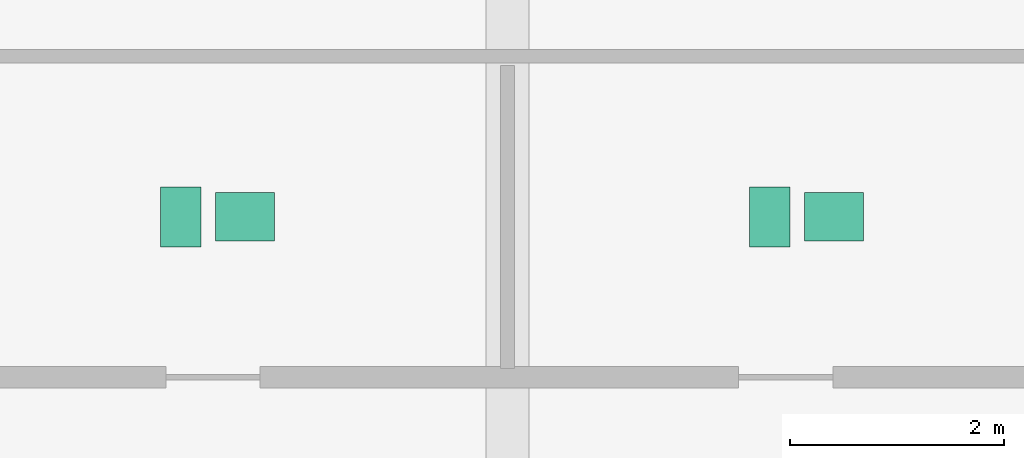
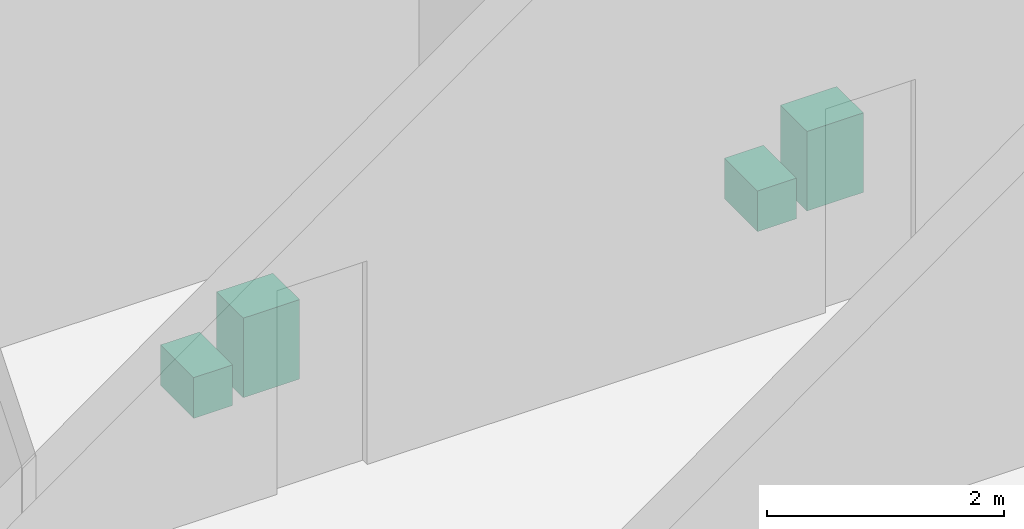
# One storey, part 29 of 29: 4 sanitary terminals.
"""IFC4 building model written with IfcOpenShell, lengths in metres."""

from ifc_helpers import new_model, si_unit, direction, frame, origin, origin_2d, place, context, subcontext, project, spatial, rectangle, extrude, source, transform, mapped, material, type_object, type_shapes, element, save


model = new_model("IFC4")

# Units and contexts
model_context = context("Model", 3, precision=1e-05, world=origin(), true_north=direction((0.0, 1.0)))
body_context = subcontext(model_context, "Body", "Model", "MODEL_VIEW")
ifc_project = project(units=[si_unit("LENGTHUNIT", "METRE"), si_unit("AREAUNIT", "SQUARE_METRE"), si_unit("VOLUMEUNIT", "CUBIC_METRE"), si_unit("PLANEANGLEUNIT", "RADIAN"), si_unit("MASSUNIT", "GRAM", prefix="KILO")], contexts=[model_context])

# Site, building, storey
site_placement = place(None, origin())
site = spatial("IfcSite", under=ifc_project, at=site_placement, CompositionType="ELEMENT")
building_placement = place(site_placement, origin())
building = spatial("IfcBuilding", under=site, at=building_placement, Name="Seokmaru Belvedere", CompositionType="ELEMENT")
storey_placement = place(building_placement, frame((0.0, 0.0, 269.39990234375)))
storey = spatial("IfcBuildingStorey", under=building, at=storey_placement, Name="L71", CompositionType="ELEMENT", Elevation=269.39990234375)

# Sanitary terminals
ifc_material = material(Name="Vitreous China Sanitaryware")
sanitary_terminal_type_1 = type_object("IfcSanitaryTerminalType", Name="Wall-Hung Vitreous China WC Pan", PredefinedType="TOILETPAN", material=ifc_material)
shared_shape_1 = source(origin(), body_context, "Body", "SweptSolid", [
    extrude(rectangle(XDim=0.3798828125, YDim=0.56005859375, at=origin_2d()), origin(), (0.0, 0.0, 1.0), 0.419921875),
])
type_shapes(sanitary_terminal_type_1, [shared_shape_1])
for number, where, z_axis, x_axis, name in (
    (1, (18.949951171875, 2.89990234375, 0.000244140625), (0.0, 0.0, 1.0), (1.0, 0.0, 0.0), "L71 Vitreous China WC 0310"),
    (2, (24.449951171875, 2.89990234375, 0.000244140625), (0.0, 0.0, 1.0), (1.0, 0.0, 0.0), "L71 Vitreous China WC 0311"),
):
    element("IfcSanitaryTerminal", number, at=place(storey_placement, frame(where, z_axis=z_axis, x_axis=x_axis)), inside=storey, type_object=sanitary_terminal_type_1, Name=name, PredefinedType="TOILETPAN", context=body_context, shape_type="MappedRepresentation", body=[
        mapped(shared_shape_1, transform((0.0, 0.0, 0.0), scale=1.0)),
    ])
sanitary_terminal_type_2 = type_object("IfcSanitaryTerminalType", Name="Countertop Ceramic Washhand Basin", PredefinedType="WASHHANDBASIN", material=ifc_material)
shared_shape_2 = source(origin(), body_context, "Body", "SweptSolid", [
    extrude(rectangle(XDim=0.550048828125, YDim=0.449951171875, at=origin_2d()), origin(), (0.0, 0.0, 1.0), 0.820068359375),
])
type_shapes(sanitary_terminal_type_2, [shared_shape_2])
for number, where, z_axis, x_axis, name in (
    (3, (19.550048828125, 2.89990234375, 0.0), (0.0, 0.0, 1.0), (1.0, 0.0, 0.0), "L71 Ceramic Washhand Basin 0310"),
    (4, (25.050048828125, 2.89990234375, 0.0), (0.0, 0.0, 1.0), (1.0, 0.0, 0.0), "L71 Ceramic Washhand Basin 0311"),
):
    element("IfcSanitaryTerminal", number, at=place(storey_placement, frame(where, z_axis=z_axis, x_axis=x_axis)), inside=storey, type_object=sanitary_terminal_type_2, Name=name, PredefinedType="WASHHANDBASIN", context=body_context, shape_type="MappedRepresentation", body=[
        mapped(shared_shape_2, transform((0.0, 0.0, 0.0), scale=1.0)),
    ])

save(model, "model.ifc")
